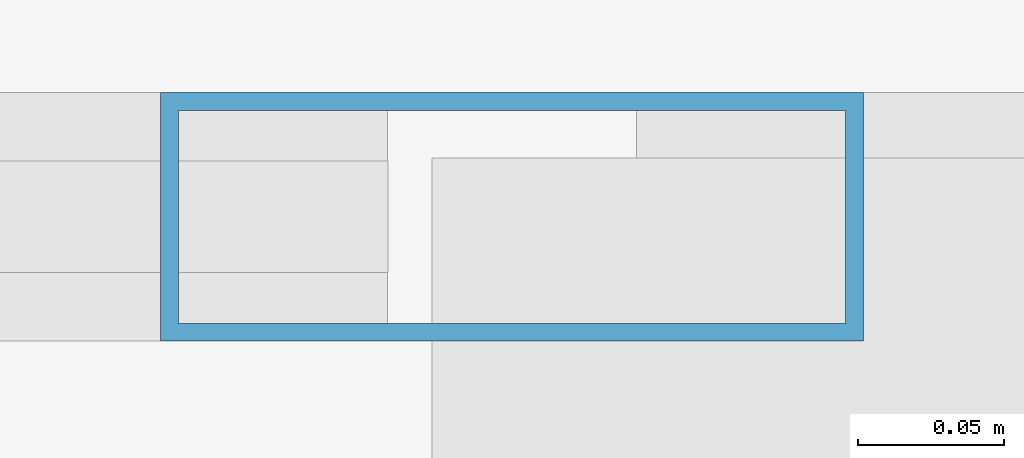
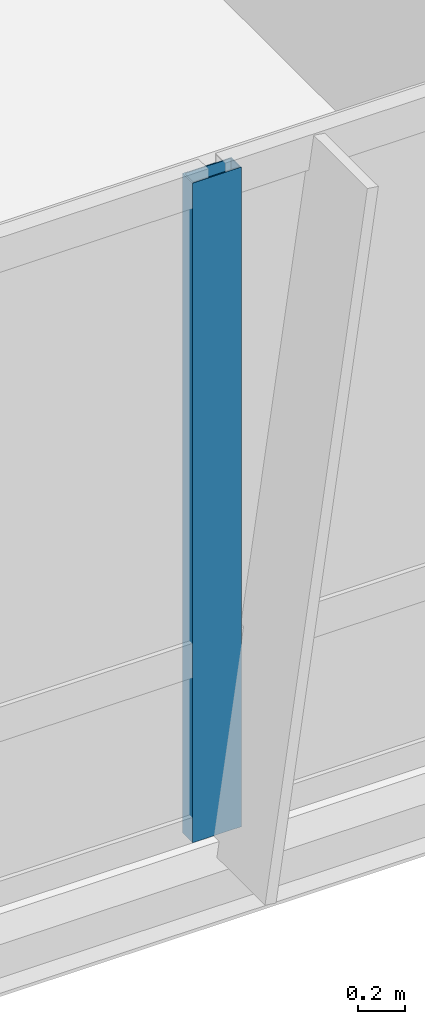
# One storey, part 7 of 27: 1 member, 1 element without a shape of its own.
"""IFC4 building model written with IfcOpenShell, lengths in metres."""

from ifc_helpers import new_model, si_unit, direction, frame, origin, origin_2d, place, context, subcontext, project, spatial, hollow_rectangle, extrude, material, material_profile, profile_set, type_object, element, aggregate, save


model = new_model("IFC4")

# Units and contexts
model_context = context("Model", 3, precision=1e-05, world=origin(), true_north=direction((0.0, 1.0)))
body_context = subcontext(model_context, "Body", "Model", "MODEL_VIEW")
ifc_project = project(units=[si_unit("LENGTHUNIT", "METRE"), si_unit("AREAUNIT", "SQUARE_METRE"), si_unit("VOLUMEUNIT", "CUBIC_METRE"), si_unit("PLANEANGLEUNIT", "RADIAN"), si_unit("MASSUNIT", "GRAM", prefix="KILO")], contexts=[model_context])

# Site, building, storey
site_placement = place(None, origin())
site = spatial("IfcSite", under=ifc_project, at=site_placement, CompositionType="ELEMENT")
building_placement = place(site_placement, origin())
building = spatial("IfcBuilding", under=site, at=building_placement, Name="Khoronbel Lancet Exchange", CompositionType="ELEMENT")
storey_placement = place(building_placement, frame((0.0, 0.0, 332.60009765625)))
storey = spatial("IfcBuildingStorey", under=building, at=storey_placement, Name="L86", CompositionType="ELEMENT", Elevation=332.60009765625)

# Curtain wall, member
ifc_material_1 = material(Name="Low-E Solar Control Insulating Glass", Category="glass")
curtain_wall_type = type_object("IfcCurtainWallType", Name="CW-3", PredefinedType="NOTDEFINED", material=ifc_material_1)
curtain_wall_placement = place(storey_placement, origin())
curtain_wall = element("IfcCurtainWall", 1, at=curtain_wall_placement, inside=storey, type_object=curtain_wall_type, Name="Unitised curtain wall CW-L86-SCV", PredefinedType="NOTDEFINED")
ifc_material_2 = material(Name="Bronze-Anodised Aluminium 6063-T6", Category="aluminium")
ifc_material_profile = material_profile(ifc_material_2, hollow_rectangle(XDim=0.0849609375, YDim=0.239990234375, WallThickness=0.006103515625, at=origin_2d()), Name="ALU MULLION 85x240")
ifc_profile_set = profile_set([ifc_material_profile], Name="Bronze-Anodised Aluminium 6063-T6")
member_type = type_object("IfcMemberType", Name="MEM-CWM1", PredefinedType="MULLION", material=ifc_profile_set)
member_placement = place(storey_placement, frame((36.449951171875, 9.7900390625, 0.0), z_axis=(0.0, 0.0, 1.0), x_axis=(0.0, 1.0, 0.0)))
member = element("IfcMember", 2, at=member_placement, type_object=member_type, Name="CW3 mullion 2", PredefinedType="MULLION", context=body_context, shape_type="SweptSolid", body=[
    extrude(hollow_rectangle(XDim=0.0849609375, YDim=0.239990234375, WallThickness=0.006103515625, at=origin_2d()), origin(), (0.0, 0.0, 1.0), 3.43994140625),
])
aggregate(curtain_wall, [member])

save(model, "model.ifc")
